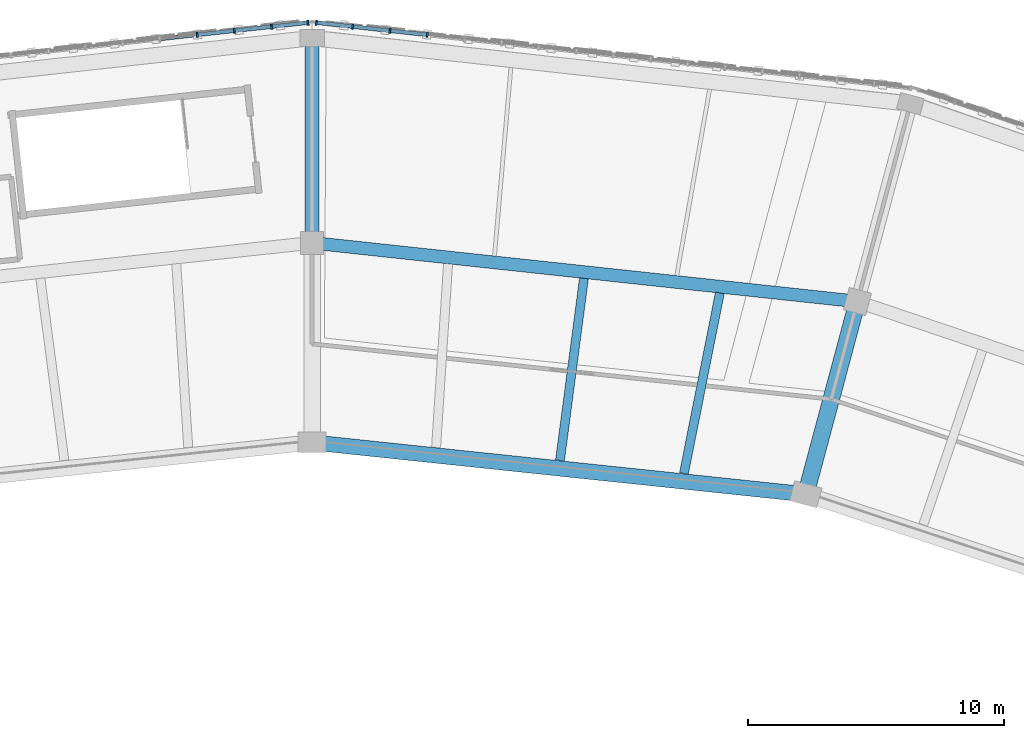
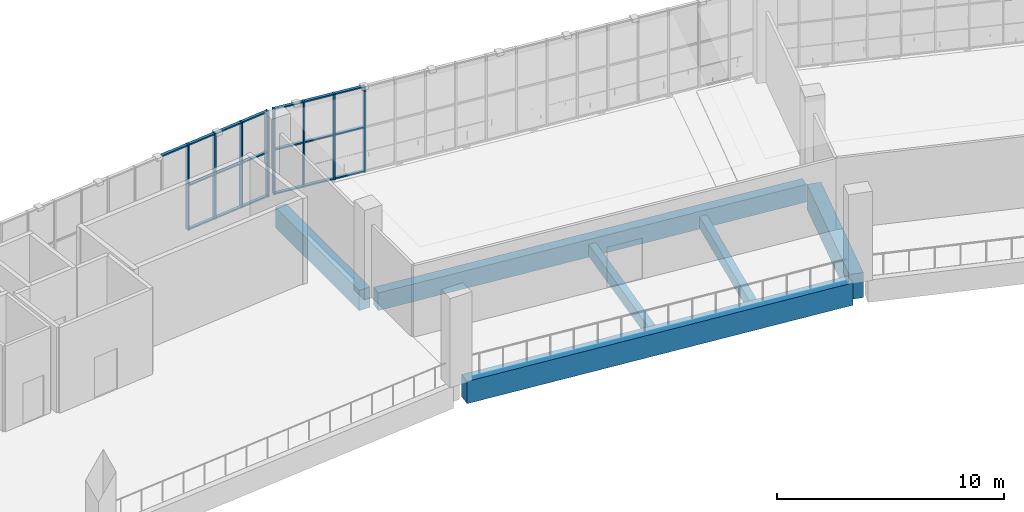
# One storey, part 28 of 64: 27 members, 6 beams, 2 elements without a shape of their own.
"""IFC4 building model written with IfcOpenShell, lengths in metres."""

from ifc_helpers import new_model, si_unit, direction, frame, origin, origin_2d, place, context, subcontext, project, spatial, rectangle, extrude, material, material_profile, profile_set, type_object, element, aggregate, save


model = new_model("IFC4")

# Units and contexts
model_context = context("Model", 3, precision=1e-05, world=origin(), true_north=direction((0.0, 1.0)))
body_context = subcontext(model_context, "Body", "Model", "MODEL_VIEW")
ifc_project = project(units=[si_unit("LENGTHUNIT", "METRE"), si_unit("AREAUNIT", "SQUARE_METRE"), si_unit("VOLUMEUNIT", "CUBIC_METRE"), si_unit("PLANEANGLEUNIT", "RADIAN"), si_unit("MASSUNIT", "GRAM", prefix="KILO")], contexts=[model_context])

# Site, building, storey
site_placement = place(None, origin())
site = spatial("IfcSite", under=ifc_project, at=site_placement, CompositionType="ELEMENT")
building_placement = place(site_placement, origin())
building = spatial("IfcBuilding", under=site, at=building_placement, Name="Zevraka Park Crest Stadium", CompositionType="ELEMENT")
storey_placement = place(building_placement, frame((0.0, 0.0, 24.60009765625)))
storey = spatial("IfcBuildingStorey", under=building, at=storey_placement, Name="L05", CompositionType="ELEMENT", Elevation=24.60009765625)

# Beams
ifc_material_1 = material(Name="Concrete C40/50", Category="concrete")
ifc_material_profile_1 = material_profile(ifc_material_1, rectangle(XDim=0.64990234375, YDim=1.35009765625, at=origin_2d()), Name="RC 1350x650")
ifc_profile_set_1 = profile_set([ifc_material_profile_1], Name="Concrete C40/50")
beam_type_1 = type_object("IfcBeamType", Name="BG01", PredefinedType="BEAM", material=ifc_profile_set_1)
beam_1_placement = place(storey_placement, frame((131.360107421875, 149.762939453125, -0.68505859375), z_axis=(0.258747385792, 0.965945024495, 0.0), x_axis=(-0.965945024495, 0.258747385792, 0.0)))
element("IfcBeam", 1, at=beam_1_placement, inside=storey, type_object=beam_type_1, Name="Radial Girder BG01 L05-BC-05", PredefinedType="BEAM", context=body_context, shape_type="SweptSolid", body=[
    extrude(rectangle(XDim=0.64990234375, YDim=1.35009765625, at=origin_2d()), origin(), (0.0, 0.0, 1.0), 7.19921875),
])
ifc_material_2 = material(Name="Concrete C40/50", Category="concrete")
ifc_material_profile_2 = material_profile(ifc_material_2, rectangle(XDim=0.550048828125, YDim=1.10009765625, at=origin_2d()), Name="RC 1100x550")
ifc_profile_set_2 = profile_set([ifc_material_profile_2], Name="Concrete C40/50")
beam_type_2 = type_object("IfcBeamType", Name="BG02", PredefinedType="BEAM", material=ifc_profile_set_2)
beam_2_placement = place(storey_placement, frame((112.0, 159.60009765625, -0.56005859375), z_axis=(0.0, 1.0, 0.0), x_axis=(-1.0, 0.0, 0.0)))
element("IfcBeam", 2, at=beam_2_placement, inside=storey, type_object=beam_type_2, Name="Radial Girder BG02 L05-CD-06", PredefinedType="BEAM", context=body_context, shape_type="SweptSolid", body=[
    extrude(rectangle(XDim=0.550048828125, YDim=1.10009765625, at=origin_2d()), origin(), (0.0, 0.0, 1.0), 7.39990234375),
])

# Curtain wall, members
ifc_material_3 = material(Name="Anodised architectural aluminium and laminated safety glass", Category="aluminium")
curtain_wall_type = type_object("IfcCurtainWallType", Name="CW21", PredefinedType="NOTDEFINED", material=ifc_material_3)
curtain_wall_1_placement = place(storey_placement, origin())
curtain_wall_1 = element("IfcCurtainWall", 3, at=curtain_wall_1_placement, inside=storey, type_object=curtain_wall_type, Name="Unitised Ring Curtain Wall CW21 L05-05", PredefinedType="NOTDEFINED")
ifc_material_4 = material(Name="Anodised architectural aluminium", Category="aluminium")
ifc_material_profile_3 = material_profile(ifc_material_4, rectangle(XDim=0.199951171875, YDim=0.070068359375, at=origin_2d()), Name="ALU MULLION 200x70")
ifc_profile_set_3 = profile_set([ifc_material_profile_3], Name="Anodised architectural aluminium")
member_type_1 = type_object("IfcMemberType", Name="CM03", PredefinedType="MULLION", material=ifc_profile_set_3)
member_1_placement = place(storey_placement, frame((116.494140625, 167.42529296875, 0.0), z_axis=(0.0, 0.0, 1.0), x_axis=(-0.109287733215, -0.994010156572, 0.0)))
member_1 = element("IfcMember", 4, at=member_1_placement, type_object=member_type_1, Name="CW21 mullion 14", PredefinedType="MULLION", context=body_context, shape_type="SweptSolid", body=[
    extrude(rectangle(XDim=0.199951171875, YDim=0.070068359375, at=origin_2d()), origin(), (0.0, 0.0, 1.0), 4.619873046875),
])
member_2_placement = place(storey_placement, frame((115.039306640625, 167.585205078125, 0.0), z_axis=(0.0, 0.0, 1.0), x_axis=(-0.109287733215, -0.994010156572, 0.0)))
member_2 = element("IfcMember", 5, at=member_2_placement, type_object=member_type_1, Name="CW21 mullion 15", PredefinedType="MULLION", context=body_context, shape_type="SweptSolid", body=[
    extrude(rectangle(XDim=0.199951171875, YDim=0.070068359375, at=origin_2d()), origin(), (0.0, 0.0, 1.0), 4.619873046875),
])
member_3_placement = place(storey_placement, frame((113.584716796875, 167.7451171875, 0.0), z_axis=(0.0, 0.0, 1.0), x_axis=(-0.109287733215, -0.994010156572, 0.0)))
member_3 = element("IfcMember", 6, at=member_3_placement, type_object=member_type_1, Name="CW21 mullion 16", PredefinedType="MULLION", context=body_context, shape_type="SweptSolid", body=[
    extrude(rectangle(XDim=0.199951171875, YDim=0.070068359375, at=origin_2d()), origin(), (0.0, 0.0, 1.0), 4.619873046875),
])
member_4_placement = place(storey_placement, frame((112.164794921875, 167.901123046875, 0.0), z_axis=(0.0, 0.0, 1.0), x_axis=(-0.109287733215, -0.994010156572, 0.0)))
member_4 = element("IfcMember", 7, at=member_4_placement, type_object=member_type_1, Name="CW21 mullion 17", PredefinedType="MULLION", context=body_context, shape_type="SweptSolid", body=[
    extrude(rectangle(XDim=0.199951171875, YDim=0.070068359375, at=origin_2d()), origin(), (0.0, 0.0, 1.0), 4.619873046875),
])

curtain_wall_2_placement = place(storey_placement, origin())
curtain_wall_2 = element("IfcCurtainWall", 8, at=curtain_wall_2_placement, inside=storey, type_object=curtain_wall_type, Name="Unitised Ring Curtain Wall CW21 L05-06", PredefinedType="NOTDEFINED")
member_5_placement = place(storey_placement, frame((111.835205078125, 167.901123046875, 0.0), z_axis=(0.0, 0.0, 1.0), x_axis=(0.109287733215, -0.994010156572, 0.0)))
member_5 = element("IfcMember", 9, at=member_5_placement, type_object=member_type_1, Name="CW21 mullion 1", PredefinedType="MULLION", context=body_context, shape_type="SweptSolid", body=[
    extrude(rectangle(XDim=0.199951171875, YDim=0.070068359375, at=origin_2d()), origin(), (0.0, 0.0, 1.0), 4.619873046875),
])
member_6_placement = place(storey_placement, frame((110.415283203125, 167.7451171875, 0.0), z_axis=(0.0, 0.0, 1.0), x_axis=(0.109287733215, -0.994010156572, 0.0)))
member_6 = element("IfcMember", 10, at=member_6_placement, type_object=member_type_1, Name="CW21 mullion 2", PredefinedType="MULLION", context=body_context, shape_type="SweptSolid", body=[
    extrude(rectangle(XDim=0.199951171875, YDim=0.070068359375, at=origin_2d()), origin(), (0.0, 0.0, 1.0), 4.619873046875),
])
member_7_placement = place(storey_placement, frame((108.960693359375, 167.585205078125, 0.0), z_axis=(0.0, 0.0, 1.0), x_axis=(0.109287733215, -0.994010156572, 0.0)))
member_7 = element("IfcMember", 11, at=member_7_placement, type_object=member_type_1, Name="CW21 mullion 3", PredefinedType="MULLION", context=body_context, shape_type="SweptSolid", body=[
    extrude(rectangle(XDim=0.199951171875, YDim=0.070068359375, at=origin_2d()), origin(), (0.0, 0.0, 1.0), 4.619873046875),
])
member_8_placement = place(storey_placement, frame((107.505859375, 167.42529296875, 0.0), z_axis=(0.0, 0.0, 1.0), x_axis=(0.109287733215, -0.994010156572, 0.0)))
member_8 = element("IfcMember", 12, at=member_8_placement, type_object=member_type_1, Name="CW21 mullion 4", PredefinedType="MULLION", context=body_context, shape_type="SweptSolid", body=[
    extrude(rectangle(XDim=0.199951171875, YDim=0.070068359375, at=origin_2d()), origin(), (0.0, 0.0, 1.0), 4.619873046875),
])

# Member
ifc_material_5 = material(Name="Anodised architectural aluminium", Category="aluminium")
ifc_material_profile_4 = material_profile(ifc_material_5, rectangle(XDim=0.14990234375, YDim=0.070068359375, at=origin_2d()), Name="ALU TRANSOM 150x70")
ifc_profile_set_4 = profile_set([ifc_material_profile_4], Name="Anodised architectural aluminium")
member_type_2 = type_object("IfcMemberType", Name="CT03", PredefinedType="USERDEFINED", material=ifc_profile_set_4)
member_9_placement = place(storey_placement, frame((116.459228515625, 167.428955078125, 0.034912109375), z_axis=(-0.994004927225, 0.109335285491, 0.0), x_axis=(-0.109335285491, -0.994004927225, 0.0)))
member_9 = element("IfcMember", 13, at=member_9_placement, type_object=member_type_2, Name="CW21 transom 14.1", ObjectType="TRANSOM", PredefinedType="USERDEFINED", context=body_context, shape_type="SweptSolid", body=[
    extrude(rectangle(XDim=0.14990234375, YDim=0.070068359375, at=origin_2d()), origin(), (0.0, 0.0, 1.0), 1.393310546875),
])

member_10_placement = place(storey_placement, frame((116.459228515625, 167.428955078125, 2.39990234375), z_axis=(-0.994004927225, 0.109335285491, 0.0), x_axis=(-0.109335285491, -0.994004927225, 0.0)))
member_10 = element("IfcMember", 14, at=member_10_placement, type_object=member_type_2, Name="CW21 transom 14.2", ObjectType="TRANSOM", PredefinedType="USERDEFINED", context=body_context, shape_type="SweptSolid", body=[
    extrude(rectangle(XDim=0.14990234375, YDim=0.070068359375, at=origin_2d()), origin(), (0.0, 0.0, 1.0), 1.393310546875),
])

member_11_placement = place(storey_placement, frame((116.459228515625, 167.428955078125, 4.5849609375), z_axis=(-0.994004927225, 0.109335285491, 0.0), x_axis=(-0.109335285491, -0.994004927225, 0.0)))
member_11 = element("IfcMember", 15, at=member_11_placement, type_object=member_type_2, Name="CW21 transom 14.3", ObjectType="TRANSOM", PredefinedType="USERDEFINED", context=body_context, shape_type="SweptSolid", body=[
    extrude(rectangle(XDim=0.14990234375, YDim=0.070068359375, at=origin_2d()), origin(), (0.0, 0.0, 1.0), 1.393310546875),
])

member_12_placement = place(storey_placement, frame((115.004638671875, 167.5888671875, 0.034912109375), z_axis=(-0.994007021255, 0.109316246257, 0.0), x_axis=(-0.109316246257, -0.994007021255, 0.0)))
member_12 = element("IfcMember", 16, at=member_12_placement, type_object=member_type_2, Name="CW21 transom 15.1", ObjectType="TRANSOM", PredefinedType="USERDEFINED", context=body_context, shape_type="SweptSolid", body=[
    extrude(rectangle(XDim=0.14990234375, YDim=0.070068359375, at=origin_2d()), origin(), (0.0, 0.0, 1.0), 1.3935546875),
])

member_13_placement = place(storey_placement, frame((115.004638671875, 167.5888671875, 2.39990234375), z_axis=(-0.994007021255, 0.109316246257, 0.0), x_axis=(-0.109316246257, -0.994007021255, 0.0)))
member_13 = element("IfcMember", 17, at=member_13_placement, type_object=member_type_2, Name="CW21 transom 15.2", ObjectType="TRANSOM", PredefinedType="USERDEFINED", context=body_context, shape_type="SweptSolid", body=[
    extrude(rectangle(XDim=0.14990234375, YDim=0.070068359375, at=origin_2d()), origin(), (0.0, 0.0, 1.0), 1.3935546875),
])

member_14_placement = place(storey_placement, frame((115.004638671875, 167.5888671875, 4.5849609375), z_axis=(-0.994007021255, 0.109316246257, 0.0), x_axis=(-0.109316246257, -0.994007021255, 0.0)))
member_14 = element("IfcMember", 18, at=member_14_placement, type_object=member_type_2, Name="CW21 transom 15.3", ObjectType="TRANSOM", PredefinedType="USERDEFINED", context=body_context, shape_type="SweptSolid", body=[
    extrude(rectangle(XDim=0.14990234375, YDim=0.070068359375, at=origin_2d()), origin(), (0.0, 0.0, 1.0), 1.3935546875),
])

member_15_placement = place(storey_placement, frame((113.5498046875, 167.748779296875, 0.034912109375), z_axis=(-0.993992826478, 0.109445241606, 0.0), x_axis=(-0.109445241606, -0.993992826478, 0.0)))
member_15 = element("IfcMember", 19, at=member_15_placement, type_object=member_type_2, Name="CW21 transom 16.1", ObjectType="TRANSOM", PredefinedType="USERDEFINED", context=body_context, shape_type="SweptSolid", body=[
    extrude(rectangle(XDim=0.14990234375, YDim=0.070068359375, at=origin_2d()), origin(), (0.0, 0.0, 1.0), 1.3583984375),
])

member_16_placement = place(storey_placement, frame((113.5498046875, 167.748779296875, 2.39990234375), z_axis=(-0.993992826478, 0.109445241606, 0.0), x_axis=(-0.109445241606, -0.993992826478, 0.0)))
member_16 = element("IfcMember", 20, at=member_16_placement, type_object=member_type_2, Name="CW21 transom 16.2", ObjectType="TRANSOM", PredefinedType="USERDEFINED", context=body_context, shape_type="SweptSolid", body=[
    extrude(rectangle(XDim=0.14990234375, YDim=0.070068359375, at=origin_2d()), origin(), (0.0, 0.0, 1.0), 1.3583984375),
])

member_17_placement = place(storey_placement, frame((113.5498046875, 167.748779296875, 4.5849609375), z_axis=(-0.993992826478, 0.109445241606, 0.0), x_axis=(-0.109445241606, -0.993992826478, 0.0)))
member_17 = element("IfcMember", 21, at=member_17_placement, type_object=member_type_2, Name="CW21 transom 16.3", ObjectType="TRANSOM", PredefinedType="USERDEFINED", context=body_context, shape_type="SweptSolid", body=[
    extrude(rectangle(XDim=0.14990234375, YDim=0.070068359375, at=origin_2d()), origin(), (0.0, 0.0, 1.0), 1.3583984375),
])

aggregate(curtain_wall_1, [member_1, member_2, member_3, member_4, member_9, member_10, member_11, member_12, member_13, member_14, member_15, member_16, member_17])

member_18_placement = place(storey_placement, frame((111.800537109375, 167.8974609375, 0.034912109375), z_axis=(-0.993992826478, -0.109445241606, 0.0), x_axis=(0.109445241606, -0.993992826478, 0.0)))
member_18 = element("IfcMember", 22, at=member_18_placement, type_object=member_type_2, Name="CW21 transom 1.1", ObjectType="TRANSOM", PredefinedType="USERDEFINED", context=body_context, shape_type="SweptSolid", body=[
    extrude(rectangle(XDim=0.14990234375, YDim=0.070068359375, at=origin_2d()), origin(), (0.0, 0.0, 1.0), 1.3583984375),
])

member_19_placement = place(storey_placement, frame((111.800537109375, 167.8974609375, 2.39990234375), z_axis=(-0.993992826478, -0.109445241606, 0.0), x_axis=(0.109445241606, -0.993992826478, 0.0)))
member_19 = element("IfcMember", 23, at=member_19_placement, type_object=member_type_2, Name="CW21 transom 1.2", ObjectType="TRANSOM", PredefinedType="USERDEFINED", context=body_context, shape_type="SweptSolid", body=[
    extrude(rectangle(XDim=0.14990234375, YDim=0.070068359375, at=origin_2d()), origin(), (0.0, 0.0, 1.0), 1.3583984375),
])

member_20_placement = place(storey_placement, frame((111.800537109375, 167.8974609375, 4.5849609375), z_axis=(-0.993992826478, -0.109445241606, 0.0), x_axis=(0.109445241606, -0.993992826478, 0.0)))
member_20 = element("IfcMember", 24, at=member_20_placement, type_object=member_type_2, Name="CW21 transom 1.3", ObjectType="TRANSOM", PredefinedType="USERDEFINED", context=body_context, shape_type="SweptSolid", body=[
    extrude(rectangle(XDim=0.14990234375, YDim=0.070068359375, at=origin_2d()), origin(), (0.0, 0.0, 1.0), 1.3583984375),
])

member_21_placement = place(storey_placement, frame((110.380615234375, 167.7412109375, 0.034912109375), z_axis=(-0.994007021255, -0.109316246257, 0.0), x_axis=(0.109316246257, -0.994007021255, 0.0)))
member_21 = element("IfcMember", 25, at=member_21_placement, type_object=member_type_2, Name="CW21 transom 2.1", ObjectType="TRANSOM", PredefinedType="USERDEFINED", context=body_context, shape_type="SweptSolid", body=[
    extrude(rectangle(XDim=0.14990234375, YDim=0.070068359375, at=origin_2d()), origin(), (0.0, 0.0, 1.0), 1.3935546875),
])

member_22_placement = place(storey_placement, frame((110.380615234375, 167.7412109375, 2.39990234375), z_axis=(-0.994007021255, -0.109316246257, 0.0), x_axis=(0.109316246257, -0.994007021255, 0.0)))
member_22 = element("IfcMember", 26, at=member_22_placement, type_object=member_type_2, Name="CW21 transom 2.2", ObjectType="TRANSOM", PredefinedType="USERDEFINED", context=body_context, shape_type="SweptSolid", body=[
    extrude(rectangle(XDim=0.14990234375, YDim=0.070068359375, at=origin_2d()), origin(), (0.0, 0.0, 1.0), 1.3935546875),
])

member_23_placement = place(storey_placement, frame((110.380615234375, 167.7412109375, 4.5849609375), z_axis=(-0.994007021255, -0.109316246257, 0.0), x_axis=(0.109316246257, -0.994007021255, 0.0)))
member_23 = element("IfcMember", 27, at=member_23_placement, type_object=member_type_2, Name="CW21 transom 2.3", ObjectType="TRANSOM", PredefinedType="USERDEFINED", context=body_context, shape_type="SweptSolid", body=[
    extrude(rectangle(XDim=0.14990234375, YDim=0.070068359375, at=origin_2d()), origin(), (0.0, 0.0, 1.0), 1.3935546875),
])

member_24_placement = place(storey_placement, frame((108.92578125, 167.581298828125, 0.034912109375), z_axis=(-0.994004927225, -0.109335285491, 0.0), x_axis=(0.109335285491, -0.994004927225, 0.0)))
member_24 = element("IfcMember", 28, at=member_24_placement, type_object=member_type_2, Name="CW21 transom 3.1", ObjectType="TRANSOM", PredefinedType="USERDEFINED", context=body_context, shape_type="SweptSolid", body=[
    extrude(rectangle(XDim=0.14990234375, YDim=0.070068359375, at=origin_2d()), origin(), (0.0, 0.0, 1.0), 1.393310546875),
])

member_25_placement = place(storey_placement, frame((108.92578125, 167.581298828125, 2.39990234375), z_axis=(-0.994004927225, -0.109335285491, 0.0), x_axis=(0.109335285491, -0.994004927225, 0.0)))
member_25 = element("IfcMember", 29, at=member_25_placement, type_object=member_type_2, Name="CW21 transom 3.2", ObjectType="TRANSOM", PredefinedType="USERDEFINED", context=body_context, shape_type="SweptSolid", body=[
    extrude(rectangle(XDim=0.14990234375, YDim=0.070068359375, at=origin_2d()), origin(), (0.0, 0.0, 1.0), 1.393310546875),
])

member_26_placement = place(storey_placement, frame((108.92578125, 167.581298828125, 4.5849609375), z_axis=(-0.994004927225, -0.109335285491, 0.0), x_axis=(0.109335285491, -0.994004927225, 0.0)))
member_26 = element("IfcMember", 30, at=member_26_placement, type_object=member_type_2, Name="CW21 transom 3.3", ObjectType="TRANSOM", PredefinedType="USERDEFINED", context=body_context, shape_type="SweptSolid", body=[
    extrude(rectangle(XDim=0.14990234375, YDim=0.070068359375, at=origin_2d()), origin(), (0.0, 0.0, 1.0), 1.393310546875),
])

member_27_placement = place(storey_placement, frame((107.47119140625, 167.42138671875, 4.5849609375), z_axis=(-0.994007021255, -0.109316246257, 0.0), x_axis=(0.109316246257, -0.994007021255, 0.0)))
member_27 = element("IfcMember", 31, at=member_27_placement, type_object=member_type_2, Name="CW21 transom 4.3", ObjectType="TRANSOM", PredefinedType="USERDEFINED", context=body_context, shape_type="SweptSolid", body=[
    extrude(rectangle(XDim=0.14990234375, YDim=0.070068359375, at=origin_2d()), origin(), (0.0, 0.0, 1.0), 1.3935546875),
])

aggregate(curtain_wall_2, [member_5, member_6, member_7, member_8, member_18, member_19, member_20, member_21, member_22, member_23, member_24, member_25, member_26, member_27])

# Beams
ifc_material_6 = material(Name="Concrete C40/50", Category="concrete")
ifc_material_profile_5 = material_profile(ifc_material_6, rectangle(XDim=0.60009765625, YDim=1.199951171875, at=origin_2d()), Name="RC 1200x600")
ifc_profile_set_5 = profile_set([ifc_material_profile_5], Name="Concrete C40/50")
beam_type_3 = type_object("IfcBeamType", Name="RB01", PredefinedType="BEAM", material=ifc_profile_set_5)
beam_3_placement = place(storey_placement, frame((130.904052734375, 149.512939453125, -0.610107421875), z_axis=(-0.994522746434, 0.1045203656, 0.0), x_axis=(-0.1045203656, -0.994522746434, 0.0)))
element("IfcBeam", 32, at=beam_3_placement, inside=storey, type_object=beam_type_3, Name="Ring Beam RB01 L05-B-05", PredefinedType="BEAM", context=body_context, shape_type="SweptSolid", body=[
    extrude(rectangle(XDim=0.60009765625, YDim=1.199951171875, at=origin_2d()), origin(), (0.0, 0.0, 1.0), 18.628173828125),
])
ifc_material_7 = material(Name="Concrete C40/50", Category="concrete")
ifc_material_profile_6 = material_profile(ifc_material_7, rectangle(XDim=0.5, YDim=0.949951171875, at=origin_2d()), Name="RC 950x500")
ifc_profile_set_6 = profile_set([ifc_material_profile_6], Name="Concrete C40/50")
beam_type_4 = type_object("IfcBeamType", Name="RB02", PredefinedType="BEAM", material=ifc_profile_set_6)
beam_4_placement = place(storey_placement, frame((132.923095703125, 157.048095703125, -0.485107421875), z_axis=(-0.994259477334, 0.106995755668, 0.0), x_axis=(-0.106995755668, -0.994259477334, 0.0)))
element("IfcBeam", 33, at=beam_4_placement, inside=storey, type_object=beam_type_4, Name="Ring Beam RB02 L05-C-05", PredefinedType="BEAM", context=body_context, shape_type="SweptSolid", body=[
    extrude(rectangle(XDim=0.5, YDim=0.949951171875, at=origin_2d()), origin(), (0.0, 0.0, 1.0), 20.663818359375),
])
ifc_material_8 = material(Name="Concrete C40/50", Category="concrete")
ifc_material_profile_7 = material_profile(ifc_material_8, rectangle(XDim=0.35009765625, YDim=0.64990234375, at=origin_2d()), Name="RC 650x350")
ifc_profile_set_7 = profile_set([ifc_material_profile_7], Name="Concrete C40/50")
beam_type_5 = type_object("IfcBeamType", Name="SJ06", PredefinedType="JOIST", material=ifc_profile_set_7)
beam_5_placement = place(storey_placement, frame((126.52294921875, 150.2890625, -0.593017578125), z_axis=(0.195423881122, 0.980718872403, 0.0), x_axis=(-0.980718872403, 0.195423881122, 0.0)))
element("IfcBeam", 34, at=beam_5_placement, inside=storey, type_object=beam_type_5, Name="Floor Joist SJ06 L05-BC-05-1", PredefinedType="JOIST", context=body_context, shape_type="SweptSolid", body=[
    extrude(rectangle(XDim=0.35009765625, YDim=0.64990234375, at=origin_2d()), origin(), (0.0, 0.0, 1.0), 7.189697265625),
])
beam_6_placement = place(storey_placement, frame((121.681884765625, 150.799072265625, -0.593017578125), z_axis=(0.13062530986, 0.991431807248, 0.0), x_axis=(-0.991431807248, 0.13062530986, 0.0)))
element("IfcBeam", 35, at=beam_6_placement, inside=storey, type_object=beam_type_5, Name="Floor Joist SJ06 L05-BC-05-2", PredefinedType="JOIST", context=body_context, shape_type="SweptSolid", body=[
    extrude(rectangle(XDim=0.35009765625, YDim=0.64990234375, at=origin_2d()), origin(), (0.0, 0.0, 1.0), 7.17333984375),
])

save(model, "model.ifc")
